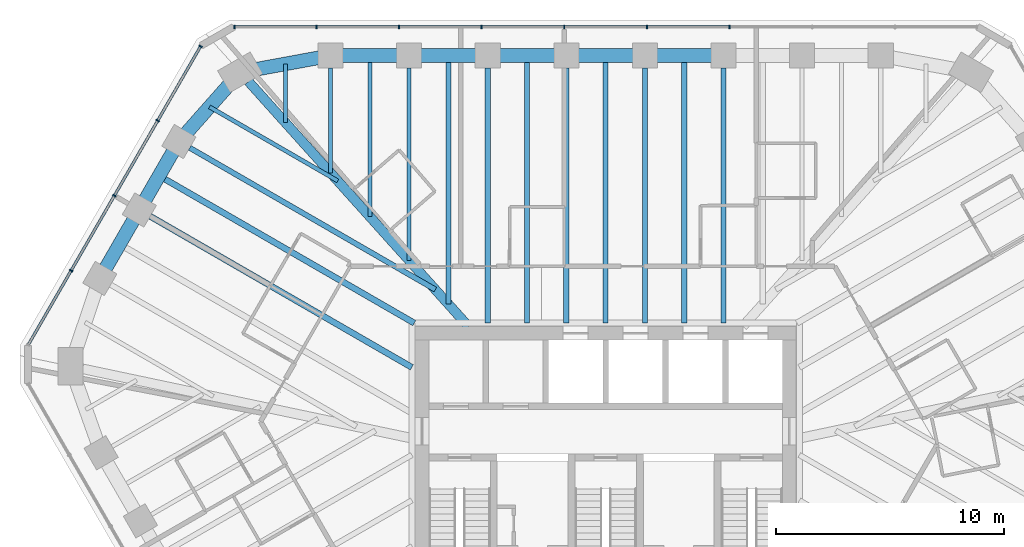
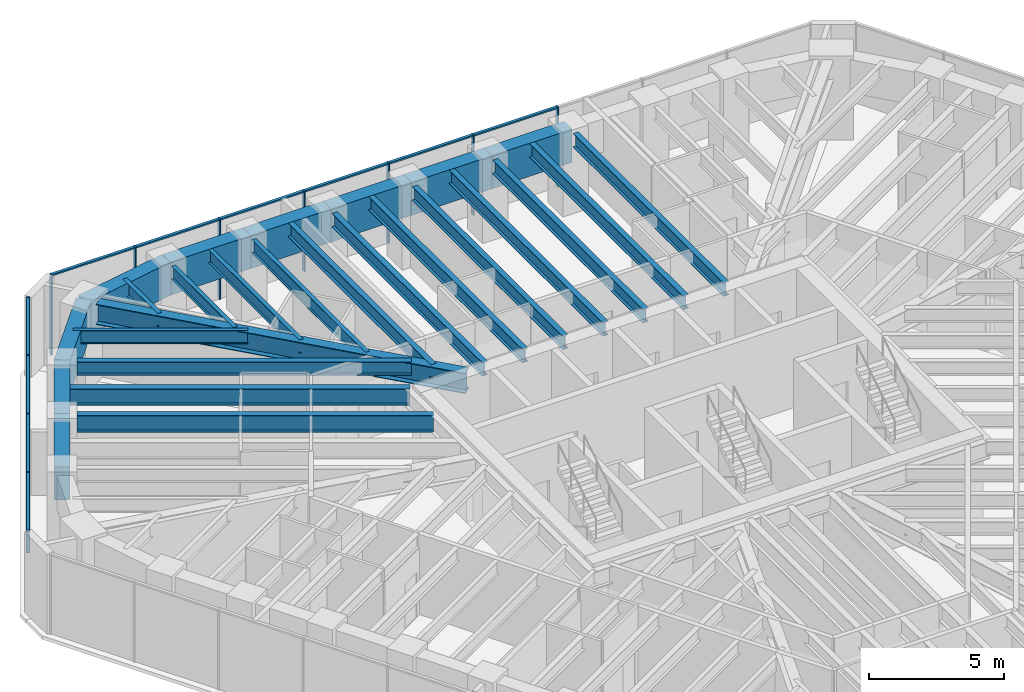
# One storey, part 6 of 14: 26 beams, 21 members, 2 elements without a shape of their own.
"""IFC4 building model written with IfcOpenShell, lengths in metres."""

from ifc_helpers import new_model, si_unit, direction, frame, origin, origin_2d, place, context, subcontext, project, spatial, rectangle, i_section, extrude, material, material_profile, profile_set, type_object, element, aggregate, save


model = new_model("IFC4")

# Units and contexts
model_context = context("Model", 3, precision=1e-05, world=origin(), true_north=direction((0.0, 1.0)))
body_context = subcontext(model_context, "Body", "Model", "MODEL_VIEW")
ifc_project = project(units=[si_unit("LENGTHUNIT", "METRE"), si_unit("AREAUNIT", "SQUARE_METRE"), si_unit("VOLUMEUNIT", "CUBIC_METRE"), si_unit("PLANEANGLEUNIT", "RADIAN"), si_unit("MASSUNIT", "GRAM", prefix="KILO")], contexts=[model_context])

# Site, building, storey
site_placement = place(None, origin())
site = spatial("IfcSite", under=ifc_project, at=site_placement, CompositionType="ELEMENT")
building_placement = place(site_placement, origin())
building = spatial("IfcBuilding", under=site, at=building_placement, Name="Sandreach Pilgrim Tower", CompositionType="ELEMENT")
storey_placement = place(building_placement, frame((0.0, 0.0, 268.39990234375)))
storey = spatial("IfcBuildingStorey", under=building, at=storey_placement, Name="L67", CompositionType="ELEMENT", Elevation=268.39990234375)

# Curtain wall, members
ifc_material_1 = material(Name="Aluminium framed curtain wall", Category="aluminium")
curtain_wall_type = type_object("IfcCurtainWallType", Name="Suite tower curtain wall", PredefinedType="NOTDEFINED", material=ifc_material_1)
curtain_wall_1_placement = place(storey_placement, origin())
curtain_wall_1 = element("IfcCurtainWall", 1, at=curtain_wall_1_placement, inside=storey, type_object=curtain_wall_type, Name="CW-4 L67 N", PredefinedType="NOTDEFINED")
ifc_material_2 = material(Name="Aluminium extrusion", Category="aluminium")
ifc_material_profile_1 = material_profile(ifc_material_2, rectangle(XDim=0.06005859375, YDim=0.159912109375, at=origin_2d()), Name="CW-4M 60X160")
ifc_profile_set_1 = profile_set([ifc_material_profile_1], Name="Aluminium extrusion")
member_type_1 = type_object("IfcMemberType", Name="CW-4 mullion", PredefinedType="MULLION", material=ifc_profile_set_1)
member_1_placement = place(storey_placement, frame((-16.268310546875, 19.826416015625, 0.0), z_axis=(0.0, 0.0, 1.0), x_axis=(1.0, 0.0, 0.0)))
member_1 = element("IfcMember", 2, at=member_1_placement, type_object=member_type_1, Name="CW-4 mullion 1", PredefinedType="MULLION", context=body_context, shape_type="SweptSolid", body=[
    extrude(rectangle(XDim=0.06005859375, YDim=0.159912109375, at=origin_2d()), origin(), (0.0, 0.0, 1.0), 3.64013671875),
])
member_2_placement = place(storey_placement, frame((-12.676513671875, 19.826416015625, 0.0), z_axis=(0.0, 0.0, 1.0), x_axis=(1.0, 0.0, 0.0)))
member_2 = element("IfcMember", 3, at=member_2_placement, type_object=member_type_1, Name="CW-4 mullion 2", PredefinedType="MULLION", context=body_context, shape_type="SweptSolid", body=[
    extrude(rectangle(XDim=0.06005859375, YDim=0.159912109375, at=origin_2d()), origin(), (0.0, 0.0, 1.0), 3.64013671875),
])
member_3_placement = place(storey_placement, frame((-9.0546875, 19.826416015625, 0.0), z_axis=(0.0, 0.0, 1.0), x_axis=(1.0, 0.0, 0.0)))
member_3 = element("IfcMember", 4, at=member_3_placement, type_object=member_type_1, Name="CW-4 mullion 3", PredefinedType="MULLION", context=body_context, shape_type="SweptSolid", body=[
    extrude(rectangle(XDim=0.06005859375, YDim=0.159912109375, at=origin_2d()), origin(), (0.0, 0.0, 1.0), 3.64013671875),
])
member_4_placement = place(storey_placement, frame((-5.432861328125, 19.826416015625, 0.0), z_axis=(0.0, 0.0, 1.0), x_axis=(1.0, 0.0, 0.0)))
member_4 = element("IfcMember", 5, at=member_4_placement, type_object=member_type_1, Name="CW-4 mullion 4", PredefinedType="MULLION", context=body_context, shape_type="SweptSolid", body=[
    extrude(rectangle(XDim=0.06005859375, YDim=0.159912109375, at=origin_2d()), origin(), (0.0, 0.0, 1.0), 3.64013671875),
])
member_5_placement = place(storey_placement, frame((-1.81103515625, 19.826416015625, 0.0), z_axis=(0.0, 0.0, 1.0), x_axis=(1.0, 0.0, 0.0)))
member_5 = element("IfcMember", 6, at=member_5_placement, type_object=member_type_1, Name="CW-4 mullion 5", PredefinedType="MULLION", context=body_context, shape_type="SweptSolid", body=[
    extrude(rectangle(XDim=0.06005859375, YDim=0.159912109375, at=origin_2d()), origin(), (0.0, 0.0, 1.0), 3.64013671875),
])
member_6_placement = place(storey_placement, frame((1.81103515625, 19.826416015625, 0.0), z_axis=(0.0, 0.0, 1.0), x_axis=(1.0, 0.0, 0.0)))
member_6 = element("IfcMember", 7, at=member_6_placement, type_object=member_type_1, Name="CW-4 mullion 6", PredefinedType="MULLION", context=body_context, shape_type="SweptSolid", body=[
    extrude(rectangle(XDim=0.06005859375, YDim=0.159912109375, at=origin_2d()), origin(), (0.0, 0.0, 1.0), 3.64013671875),
])
member_7_placement = place(storey_placement, frame((5.432861328125, 19.826416015625, 0.0), z_axis=(0.0, 0.0, 1.0), x_axis=(1.0, 0.0, 0.0)))
member_7 = element("IfcMember", 8, at=member_7_placement, type_object=member_type_1, Name="CW-4 mullion 7", PredefinedType="MULLION", context=body_context, shape_type="SweptSolid", body=[
    extrude(rectangle(XDim=0.06005859375, YDim=0.159912109375, at=origin_2d()), origin(), (0.0, 0.0, 1.0), 3.64013671875),
])

curtain_wall_2_placement = place(storey_placement, origin())
curtain_wall_2 = element("IfcCurtainWall", 9, at=curtain_wall_2_placement, inside=storey, type_object=curtain_wall_type, Name="CW-4 L67 NW", PredefinedType="NOTDEFINED")
member_8_placement = place(storey_placement, frame((-23.423583984375, 9.145263671875, 0.0), z_axis=(0.0, 0.0, 1.0), x_axis=(0.5, 0.866025403784, 0.0)))
member_8 = element("IfcMember", 10, at=member_8_placement, type_object=member_type_1, Name="CW-4 mullion 2", PredefinedType="MULLION", context=body_context, shape_type="SweptSolid", body=[
    extrude(rectangle(XDim=0.06005859375, YDim=0.159912109375, at=origin_2d()), origin(), (0.0, 0.0, 1.0), 3.64013671875),
])
member_9_placement = place(storey_placement, frame((-21.527587890625, 12.428955078125, 0.0), z_axis=(0.0, 0.0, 1.0), x_axis=(0.5, 0.866025403784, 0.0)))
member_9 = element("IfcMember", 11, at=member_9_placement, type_object=member_type_1, Name="CW-4 mullion 3", PredefinedType="MULLION", context=body_context, shape_type="SweptSolid", body=[
    extrude(rectangle(XDim=0.06005859375, YDim=0.159912109375, at=origin_2d()), origin(), (0.0, 0.0, 1.0), 3.64013671875),
])
member_10_placement = place(storey_placement, frame((-19.6318359375, 15.712646484375, 0.0), z_axis=(0.0, 0.0, 1.0), x_axis=(0.5, 0.866025403784, 0.0)))
member_10 = element("IfcMember", 12, at=member_10_placement, type_object=member_type_1, Name="CW-4 mullion 4", PredefinedType="MULLION", context=body_context, shape_type="SweptSolid", body=[
    extrude(rectangle(XDim=0.06005859375, YDim=0.159912109375, at=origin_2d()), origin(), (0.0, 0.0, 1.0), 3.64013671875),
])
member_11_placement = place(storey_placement, frame((-17.7509765625, 18.970458984375, 0.0), z_axis=(0.0, 0.0, 1.0), x_axis=(0.5, 0.866025403784, 0.0)))
member_11 = element("IfcMember", 13, at=member_11_placement, type_object=member_type_1, Name="CW-4 mullion 5", PredefinedType="MULLION", context=body_context, shape_type="SweptSolid", body=[
    extrude(rectangle(XDim=0.06005859375, YDim=0.159912109375, at=origin_2d()), origin(), (0.0, 0.0, 1.0), 3.64013671875),
])

# Member
ifc_material_3 = material(Name="Aluminium extrusion", Category="aluminium")
ifc_material_profile_2 = material_profile(ifc_material_3, rectangle(XDim=0.1201171875, YDim=0.070068359375, at=origin_2d()), Name="CW-4T 120X70")
ifc_profile_set_2 = profile_set([ifc_material_profile_2], Name="Aluminium extrusion")
member_type_2 = type_object("IfcMemberType", Name="CW-4 transom", PredefinedType="USERDEFINED", material=ifc_profile_set_2)
member_12_placement = place(storey_placement, frame((-16.23828125, 19.826416015625, 3.60498046875), z_axis=(1.0, 0.0, 0.0), x_axis=(0.0, 1.0, 0.0)))
member_12 = element("IfcMember", 14, at=member_12_placement, type_object=member_type_2, Name="CW-4 head transom 1", ObjectType="TRANSOM", PredefinedType="USERDEFINED", context=body_context, shape_type="SweptSolid", body=[
    extrude(rectangle(XDim=0.1201171875, YDim=0.070068359375, at=origin_2d()), origin(), (0.0, 0.0, 1.0), 3.53173828125),
])

member_13_placement = place(storey_placement, frame((-12.646484375, 19.826416015625, 3.60498046875), z_axis=(1.0, 0.0, 0.0), x_axis=(0.0, 1.0, 0.0)))
member_13 = element("IfcMember", 15, at=member_13_placement, type_object=member_type_2, Name="CW-4 head transom 2", ObjectType="TRANSOM", PredefinedType="USERDEFINED", context=body_context, shape_type="SweptSolid", body=[
    extrude(rectangle(XDim=0.1201171875, YDim=0.070068359375, at=origin_2d()), origin(), (0.0, 0.0, 1.0), 3.561767578125),
])

member_14_placement = place(storey_placement, frame((-9.024658203125, 19.826416015625, 3.60498046875), z_axis=(1.0, 0.0, 0.0), x_axis=(0.0, 1.0, 0.0)))
member_14 = element("IfcMember", 16, at=member_14_placement, type_object=member_type_2, Name="CW-4 head transom 3", ObjectType="TRANSOM", PredefinedType="USERDEFINED", context=body_context, shape_type="SweptSolid", body=[
    extrude(rectangle(XDim=0.1201171875, YDim=0.070068359375, at=origin_2d()), origin(), (0.0, 0.0, 1.0), 3.561767578125),
])

member_15_placement = place(storey_placement, frame((-5.40283203125, 19.826416015625, 3.60498046875), z_axis=(1.0, 0.0, 0.0), x_axis=(0.0, 1.0, 0.0)))
member_15 = element("IfcMember", 17, at=member_15_placement, type_object=member_type_2, Name="CW-4 head transom 4", ObjectType="TRANSOM", PredefinedType="USERDEFINED", context=body_context, shape_type="SweptSolid", body=[
    extrude(rectangle(XDim=0.1201171875, YDim=0.070068359375, at=origin_2d()), origin(), (0.0, 0.0, 1.0), 3.56201171875),
])

member_16_placement = place(storey_placement, frame((-1.781005859375, 19.826416015625, 3.60498046875), z_axis=(1.0, 0.0, 0.0), x_axis=(0.0, 1.0, 0.0)))
member_16 = element("IfcMember", 18, at=member_16_placement, type_object=member_type_2, Name="CW-4 head transom 5", ObjectType="TRANSOM", PredefinedType="USERDEFINED", context=body_context, shape_type="SweptSolid", body=[
    extrude(rectangle(XDim=0.1201171875, YDim=0.070068359375, at=origin_2d()), origin(), (0.0, 0.0, 1.0), 3.56201171875),
])

member_17_placement = place(storey_placement, frame((1.8408203125, 19.826416015625, 3.60498046875), z_axis=(1.0, 0.0, 0.0), x_axis=(0.0, 1.0, 0.0)))
member_17 = element("IfcMember", 19, at=member_17_placement, type_object=member_type_2, Name="CW-4 head transom 6", ObjectType="TRANSOM", PredefinedType="USERDEFINED", context=body_context, shape_type="SweptSolid", body=[
    extrude(rectangle(XDim=0.1201171875, YDim=0.070068359375, at=origin_2d()), origin(), (0.0, 0.0, 1.0), 3.56201171875),
])

aggregate(curtain_wall_1, [member_1, member_2, member_3, member_4, member_5, member_6, member_7, member_12, member_13, member_14, member_15, member_16, member_17])

member_18_placement = place(storey_placement, frame((-25.289306640625, 5.91357421875, 3.60498046875), z_axis=(0.499990780478, 0.866030726613, 0.0), x_axis=(-0.866030726613, 0.499990780478, 0.0)))
member_18 = element("IfcMember", 20, at=member_18_placement, type_object=member_type_2, Name="CW-4 head transom 1", ObjectType="TRANSOM", PredefinedType="USERDEFINED", context=body_context, shape_type="SweptSolid", body=[
    extrude(rectangle(XDim=0.1201171875, YDim=0.070068359375, at=origin_2d()), origin(), (0.0, 0.0, 1.0), 3.70166015625),
])

member_19_placement = place(storey_placement, frame((-23.408447265625, 9.17138671875, 3.60498046875), z_axis=(0.499981083104, 0.866036325184, 0.0), x_axis=(-0.866036325184, 0.499981083104, 0.0)))
member_19 = element("IfcMember", 21, at=member_19_placement, type_object=member_type_2, Name="CW-4 head transom 2", ObjectType="TRANSOM", PredefinedType="USERDEFINED", context=body_context, shape_type="SweptSolid", body=[
    extrude(rectangle(XDim=0.1201171875, YDim=0.070068359375, at=origin_2d()), origin(), (0.0, 0.0, 1.0), 3.731689453125),
])

member_20_placement = place(storey_placement, frame((-21.5126953125, 12.455078125, 3.60498046875), z_axis=(0.500030151002, 0.866007995396, 0.0), x_axis=(-0.866007995396, 0.500030151002, 0.0)))
member_20 = element("IfcMember", 22, at=member_20_placement, type_object=member_type_2, Name="CW-4 head transom 3", ObjectType="TRANSOM", PredefinedType="USERDEFINED", context=body_context, shape_type="SweptSolid", body=[
    extrude(rectangle(XDim=0.1201171875, YDim=0.070068359375, at=origin_2d()), origin(), (0.0, 0.0, 1.0), 3.731689453125),
])

member_21_placement = place(storey_placement, frame((-19.616943359375, 15.73876953125, 3.60498046875), z_axis=(0.499990780478, 0.866030726613, 0.0), x_axis=(-0.866030726613, 0.499990780478, 0.0)))
member_21 = element("IfcMember", 23, at=member_21_placement, type_object=member_type_2, Name="CW-4 head transom 4", ObjectType="TRANSOM", PredefinedType="USERDEFINED", context=body_context, shape_type="SweptSolid", body=[
    extrude(rectangle(XDim=0.1201171875, YDim=0.070068359375, at=origin_2d()), origin(), (0.0, 0.0, 1.0), 3.70166015625),
])

aggregate(curtain_wall_2, [member_8, member_9, member_10, member_11, member_18, member_19, member_20, member_21])

# Beams
ifc_material_4 = material(Name="Steel ASTM A992 Grade 50", Category="steel")
ifc_material_profile_3 = material_profile(ifc_material_4, i_section(OverallWidth=0.419189453125, OverallDepth=0.927001953125, WebThickness=0.019287109375, FlangeThickness=0.031982421875, at=origin_2d()), Name="W36X231")
ifc_profile_set_3 = profile_set([ifc_material_profile_3], Name="Steel ASTM A992 Grade 50")
beam_type_1 = type_object("IfcBeamType", Name="Corner girder W36X231", PredefinedType="BEAM", material=ifc_profile_set_3)
beam_1_placement = place(storey_placement, frame((-15.649169921875, 17.427978515625, 3.176513671875), z_axis=(0.668114851597, -0.74405815974, 0.0), x_axis=(0.74405815974, 0.668114851597, 0.0)))
element("IfcBeam", 24, at=beam_1_placement, inside=storey, type_object=beam_type_1, Name="BM L67 CG39", PredefinedType="BEAM", context=body_context, shape_type="SweptSolid", body=[
    extrude(i_section(OverallWidth=0.419189453125, OverallDepth=0.927001953125, WebThickness=0.019287109375, FlangeThickness=0.031982421875, at=origin_2d()), origin(), (0.0, 0.0, 1.0), 14.418212890625),
])
ifc_material_5 = material(Name="Steel ASTM A992 Grade 50", Category="steel")
ifc_material_profile_4 = material_profile(ifc_material_5, i_section(OverallWidth=0.1787109375, OverallDepth=0.60205078125, WebThickness=0.010986328125, FlangeThickness=0.014892578125, at=origin_2d()), Name="W24X62")
ifc_profile_set_4 = profile_set([ifc_material_profile_4], Name="Steel ASTM A992 Grade 50")
beam_type_2 = type_object("IfcBeamType", Name="Floor beam W24X62", PredefinedType="BEAM", material=ifc_profile_set_4)
beam_2_placement = place(storey_placement, frame((-12.0576171875, 18.016357421875, 3.339111328125), z_axis=(0.0, -1.0, 0.0), x_axis=(1.0, 0.0, 0.0)))
element("IfcBeam", 25, at=beam_2_placement, inside=storey, type_object=beam_type_2, Name="BM L67 F01", PredefinedType="BEAM", context=body_context, shape_type="SweptSolid", body=[
    extrude(i_section(OverallWidth=0.1787109375, OverallDepth=0.60205078125, WebThickness=0.010986328125, FlangeThickness=0.014892578125, at=origin_2d()), origin(), (0.0, 0.0, 1.0), 4.58837890625),
])
beam_3_placement = place(storey_placement, frame((-8.612548828125, 18.016357421875, 3.339111328125), z_axis=(0.0, -1.0, 0.0), x_axis=(1.0, 0.0, 0.0)))
element("IfcBeam", 26, at=beam_3_placement, inside=storey, type_object=beam_type_2, Name="BM L67 F02", PredefinedType="BEAM", context=body_context, shape_type="SweptSolid", body=[
    extrude(i_section(OverallWidth=0.1787109375, OverallDepth=0.60205078125, WebThickness=0.010986328125, FlangeThickness=0.014892578125, at=origin_2d()), origin(), (0.0, 0.0, 1.0), 8.4248046875),
])
beam_4_placement = place(storey_placement, frame((-10.3349609375, 18.56640625, 3.339111328125), z_axis=(0.0, -1.0, 0.0), x_axis=(1.0, 0.0, 0.0)))
element("IfcBeam", 27, at=beam_4_placement, inside=storey, type_object=beam_type_2, Name="BM L67 FM01", PredefinedType="BEAM", context=body_context, shape_type="SweptSolid", body=[
    extrude(i_section(OverallWidth=0.1787109375, OverallDepth=0.60205078125, WebThickness=0.010986328125, FlangeThickness=0.014892578125, at=origin_2d()), origin(), (0.0, 0.0, 1.0), 7.056640625),
])
beam_5_placement = place(storey_placement, frame((-17.360107421875, 16.31884765625, 3.339111328125), z_axis=(0.866023980233, -0.500002465655, 0.0), x_axis=(0.500002465655, 0.866023980233, 0.0)))
element("IfcBeam", 28, at=beam_5_placement, inside=storey, type_object=beam_type_2, Name="BM L67 FM38", PredefinedType="BEAM", context=body_context, shape_type="SweptSolid", body=[
    extrude(i_section(OverallWidth=0.1787109375, OverallDepth=0.60205078125, WebThickness=0.010986328125, FlangeThickness=0.014892578125, at=origin_2d()), origin(), (0.0, 0.0, 1.0), 6.49072265625),
])
beam_6_placement = place(storey_placement, frame((-14.037109375, 18.201904296875, 3.339111328125), z_axis=(0.0, -1.0, 0.0), x_axis=(1.0, 0.0, 0.0)))
element("IfcBeam", 29, at=beam_6_placement, inside=storey, type_object=beam_type_2, Name="BM L67 FM39", PredefinedType="BEAM", context=body_context, shape_type="SweptSolid", body=[
    extrude(i_section(OverallWidth=0.1787109375, OverallDepth=0.60205078125, WebThickness=0.010986328125, FlangeThickness=0.014892578125, at=origin_2d()), origin(), (0.0, 0.0, 1.0), 2.5693359375),
])
ifc_material_6 = material(Name="Steel ASTM A992 Grade 50", Category="steel")
ifc_material_profile_5 = material_profile(ifc_material_6, i_section(OverallWidth=0.23046875, OverallDepth=0.6171875, WebThickness=0.01318359375, FlangeThickness=0.022216796875, at=origin_2d()), Name="W24X94")
ifc_profile_set_5 = profile_set([ifc_material_profile_5], Name="Steel ASTM A992 Grade 50")
beam_type_3 = type_object("IfcBeamType", Name="Floor beam W24X94", PredefinedType="BEAM", material=ifc_profile_set_5)
for number, where, z_axis, x_axis, name in (
    (30, (-5.16748046875, 18.016357421875, 3.33154296875), (0.0, -1.0, 0.0), (1.0, 0.0, 0.0), "BM L67 F03"),
    (31, (-1.722412109375, 18.016357421875, 3.33154296875), (0.0, -1.0, 0.0), (1.0, 0.0, 0.0), "BM L67 F04"),
    (32, (1.722412109375, 18.016357421875, 3.33154296875), (0.0, -1.0, 0.0), (1.0, 0.0, 0.0), "BM L67 F05"),
    (33, (5.16748046875, 18.016357421875, 3.33154296875), (0.0, -1.0, 0.0), (1.0, 0.0, 0.0), "BM L67 F06"),
):
    element("IfcBeam", number, at=place(storey_placement, frame(where, z_axis=z_axis, x_axis=x_axis)), inside=storey, type_object=beam_type_3, Name=name, PredefinedType="BEAM", context=body_context, shape_type="SweptSolid", body=[
        extrude(i_section(OverallWidth=0.23046875, OverallDepth=0.6171875, WebThickness=0.01318359375, FlangeThickness=0.022216796875, at=origin_2d()), origin(), (0.0, 0.0, 1.0), 11.173095703125),
    ])
beam_7_placement = place(storey_placement, frame((-18.227294921875, 14.525390625, 3.33154296875), z_axis=(0.866020427415, -0.500008619226, 0.0), x_axis=(0.500008619226, 0.866020427415, 0.0)))
element("IfcBeam", 34, at=beam_7_placement, inside=storey, type_object=beam_type_3, Name="BM L67 F38", PredefinedType="BEAM", context=body_context, shape_type="SweptSolid", body=[
    extrude(i_section(OverallWidth=0.23046875, OverallDepth=0.6171875, WebThickness=0.01318359375, FlangeThickness=0.022216796875, at=origin_2d()), origin(), (0.0, 0.0, 1.0), 12.431396484375),
])
beam_8_placement = place(storey_placement, frame((-6.89013671875, 18.56640625, 3.33154296875), z_axis=(0.0, -1.0, 0.0), x_axis=(1.0, 0.0, 0.0)))
element("IfcBeam", 35, at=beam_8_placement, inside=storey, type_object=beam_type_3, Name="BM L67 FM02", PredefinedType="BEAM", context=body_context, shape_type="SweptSolid", body=[
    extrude(i_section(OverallWidth=0.23046875, OverallDepth=0.6171875, WebThickness=0.01318359375, FlangeThickness=0.022216796875, at=origin_2d()), origin(), (0.0, 0.0, 1.0), 10.893310546875),
])
for number, where, z_axis, x_axis, name in (
    (36, (-3.445068359375, 18.56640625, 3.33154296875), (0.0, -1.0, 0.0), (1.0, 0.0, 0.0), "BM L67 FM03"),
    (37, (0.0, 18.56640625, 3.33154296875), (0.0, -1.0, 0.0), (1.0, 0.0, 0.0), "BM L67 FM04"),
    (38, (3.445068359375, 18.56640625, 3.33154296875), (0.0, -1.0, 0.0), (1.0, 0.0, 0.0), "BM L67 FM05"),
):
    element("IfcBeam", number, at=place(storey_placement, frame(where, z_axis=z_axis, x_axis=x_axis)), inside=storey, type_object=beam_type_3, Name=name, PredefinedType="BEAM", context=body_context, shape_type="SweptSolid", body=[
        extrude(i_section(OverallWidth=0.23046875, OverallDepth=0.6171875, WebThickness=0.01318359375, FlangeThickness=0.022216796875, at=origin_2d()), origin(), (0.0, 0.0, 1.0), 11.72314453125),
    ])
ifc_material_7 = material(Name="Steel ASTM A992 Grade 50", Category="steel")
ifc_material_profile_6 = material_profile(ifc_material_7, i_section(OverallWidth=0.2666015625, OverallDepth=0.761962890625, WebThickness=0.014404296875, FlangeThickness=0.021484375, at=origin_2d()), Name="W30X116")
ifc_profile_set_6 = profile_set([ifc_material_profile_6], Name="Steel ASTM A992 Grade 50")
beam_type_4 = type_object("IfcBeamType", Name="Floor beam W30X116", PredefinedType="BEAM", material=ifc_profile_set_6)
beam_9_placement = place(storey_placement, frame((-19.960205078125, 11.52392578125, 3.259033203125), z_axis=(0.86602530353, -0.500000173646, 0.0), x_axis=(0.500000173646, 0.86602530353, 0.0)))
element("IfcBeam", 39, at=beam_9_placement, inside=storey, type_object=beam_type_4, Name="BM L67 F37", PredefinedType="BEAM", context=body_context, shape_type="SweptSolid", body=[
    extrude(i_section(OverallWidth=0.2666015625, OverallDepth=0.761962890625, WebThickness=0.014404296875, FlangeThickness=0.021484375, at=origin_2d()), origin(), (0.0, 0.0, 1.0), 13.24072265625),
])
beam_10_placement = place(storey_placement, frame((-19.570068359375, 13.299560546875, 3.259033203125), z_axis=(0.866025008595, -0.500000684488, 0.0), x_axis=(0.500000684488, 0.866025008595, 0.0)))
element("IfcBeam", 40, at=beam_10_placement, inside=storey, type_object=beam_type_4, Name="BM L67 FM37", PredefinedType="BEAM", context=body_context, shape_type="SweptSolid", body=[
    extrude(i_section(OverallWidth=0.2666015625, OverallDepth=0.761962890625, WebThickness=0.014404296875, FlangeThickness=0.021484375, at=origin_2d()), origin(), (0.0, 0.0, 1.0), 12.91259765625),
])
ifc_material_8 = material(Name="Concrete 10000 psi", Category="concrete")
ifc_material_profile_7 = material_profile(ifc_material_8, rectangle(XDim=0.60009765625, YDim=1.5, at=origin_2d()), Name="RC600X1500")
ifc_profile_set_7 = profile_set([ifc_material_profile_7], Name="Concrete 10000 psi")
beam_type_5 = type_object("IfcBeamType", Name="Spandrel beam RC600X1500", PredefinedType="SPANDREL", material=ifc_profile_set_7)
for number, where, z_axis, x_axis, name in (
    (41, (-12.0576171875, 18.56640625, 2.89013671875), (1.0, 0.0, 0.0), (0.0, 1.0, 0.0), "BM L67 SP01"),
    (42, (-8.612548828125, 18.56640625, 2.89013671875), (1.0, 0.0, 0.0), (0.0, 1.0, 0.0), "BM L67 SP02"),
    (43, (-5.16748046875, 18.56640625, 2.89013671875), (1.0, 0.0, 0.0), (0.0, 1.0, 0.0), "BM L67 SP03"),
):
    element("IfcBeam", number, at=place(storey_placement, frame(where, z_axis=z_axis, x_axis=x_axis)), inside=storey, type_object=beam_type_5, Name=name, PredefinedType="SPANDREL", context=body_context, shape_type="SweptSolid", body=[
        extrude(rectangle(XDim=0.60009765625, YDim=1.5, at=origin_2d()), origin(), (0.0, 0.0, 1.0), 3.445068359375),
    ])
beam_11_placement = place(storey_placement, frame((-1.722412109375, 18.56640625, 2.89013671875), z_axis=(1.0, 0.0, 0.0), x_axis=(0.0, 1.0, 0.0)))
element("IfcBeam", 44, at=beam_11_placement, inside=storey, type_object=beam_type_5, Name="BM L67 SP04", PredefinedType="SPANDREL", context=body_context, shape_type="SweptSolid", body=[
    extrude(rectangle(XDim=0.60009765625, YDim=1.5, at=origin_2d()), origin(), (0.0, 0.0, 1.0), 3.44482421875),
])
beam_12_placement = place(storey_placement, frame((1.722412109375, 18.56640625, 2.89013671875), z_axis=(1.0, 0.0, 0.0), x_axis=(0.0, 1.0, 0.0)))
element("IfcBeam", 45, at=beam_12_placement, inside=storey, type_object=beam_type_5, Name="BM L67 SP05", PredefinedType="SPANDREL", context=body_context, shape_type="SweptSolid", body=[
    extrude(rectangle(XDim=0.60009765625, YDim=1.5, at=origin_2d()), origin(), (0.0, 0.0, 1.0), 3.445068359375),
])
for number, where, z_axis, x_axis, name in (
    (46, (-22.169189453125, 8.7978515625, 2.89013671875), (0.499980616072, 0.866036594811, 0.0), (-0.866036594811, 0.499980616072, 0.0), "BM L67 SP36"),
    (47, (-20.4365234375, 11.799072265625, 2.89013671875), (0.500033451825, 0.866006089503, 0.0), (-0.866006089503, 0.500033451825, 0.0), "BM L67 SP37"),
):
    element("IfcBeam", number, at=place(storey_placement, frame(where, z_axis=z_axis, x_axis=x_axis)), inside=storey, type_object=beam_type_5, Name=name, PredefinedType="SPANDREL", context=body_context, shape_type="SweptSolid", body=[
        extrude(rectangle(XDim=0.60009765625, YDim=1.5, at=origin_2d()), origin(), (0.0, 0.0, 1.0), 3.465576171875),
    ])
beam_13_placement = place(storey_placement, frame((-18.70361328125, 14.80029296875, 2.89013671875), z_axis=(0.662650525414, 0.748928755736, 0.0), x_axis=(-0.748928755736, 0.662650525414, 0.0)))
element("IfcBeam", 48, at=beam_13_placement, inside=storey, type_object=beam_type_5, Name="BM L67 SP38", PredefinedType="SPANDREL", context=body_context, shape_type="SweptSolid", body=[
    extrude(rectangle(XDim=0.60009765625, YDim=1.5, at=origin_2d()), origin(), (0.0, 0.0, 1.0), 4.054931640625),
])
beam_14_placement = place(storey_placement, frame((-16.0166015625, 17.837158203125, 2.89013671875), z_axis=(0.983454894629, 0.181153167875, 0.0), x_axis=(-0.181153167875, 0.983454894629, 0.0)))
element("IfcBeam", 49, at=beam_14_placement, inside=storey, type_object=beam_type_5, Name="BM L67 SP39", PredefinedType="SPANDREL", context=body_context, shape_type="SweptSolid", body=[
    extrude(rectangle(XDim=0.60009765625, YDim=1.5, at=origin_2d()), origin(), (0.0, 0.0, 1.0), 4.025634765625),
])

save(model, "model.ifc")
